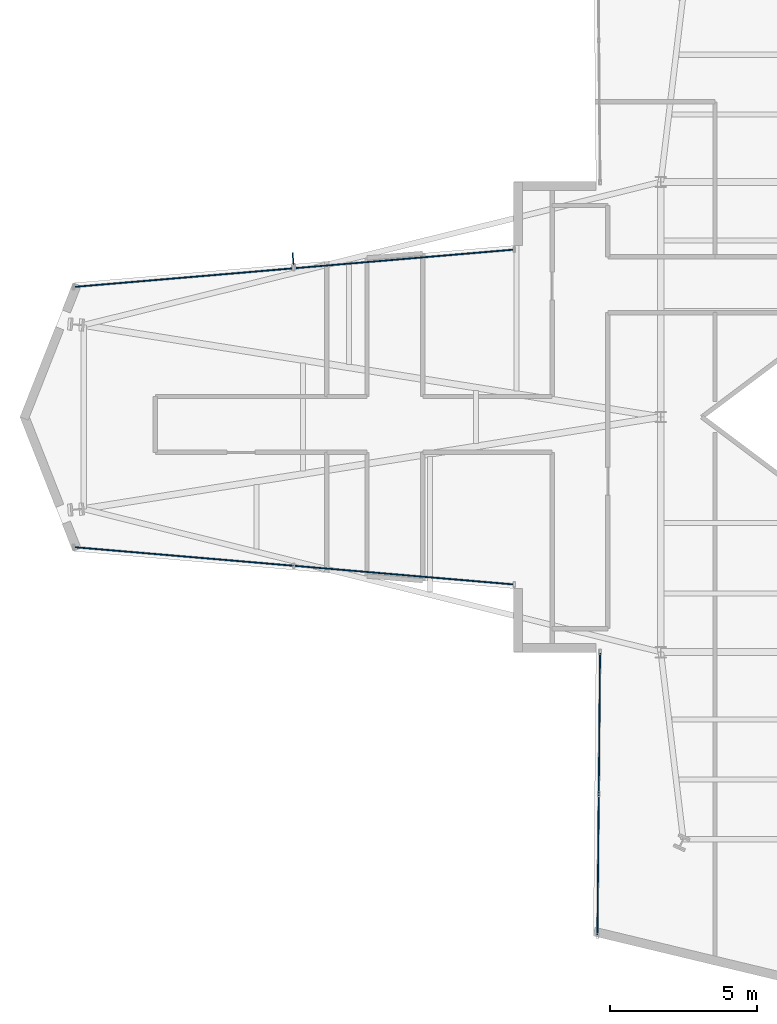
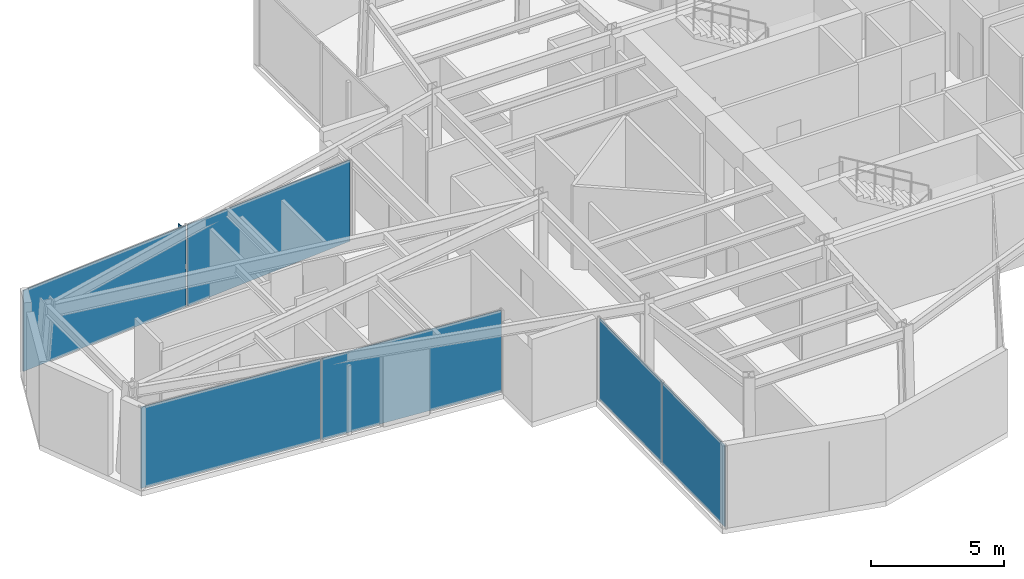
# One storey, part 19 of 25: 7 plates, 3 elements without a shape of their own.
"""IFC4 building model written with IfcOpenShell, lengths in metres."""

from ifc_helpers import new_model, si_unit, direction, frame, origin, origin_2d, place, context, subcontext, project, spatial, rectangle, extrude, material, layer, layer_set, type_object, element, aggregate, save


model = new_model("IFC4")

# Units and contexts
model_context = context("Model", 3, precision=1e-05, world=origin(), true_north=direction((0.0, 1.0)))
body_context = subcontext(model_context, "Body", "Model", "MODEL_VIEW")
ifc_project = project(units=[si_unit("LENGTHUNIT", "METRE"), si_unit("AREAUNIT", "SQUARE_METRE"), si_unit("VOLUMEUNIT", "CUBIC_METRE"), si_unit("PLANEANGLEUNIT", "RADIAN"), si_unit("MASSUNIT", "GRAM", prefix="KILO")], contexts=[model_context])

# Site, building, storey
site_placement = place(None, origin())
site = spatial("IfcSite", under=ifc_project, at=site_placement, CompositionType="ELEMENT")
building_placement = place(site_placement, origin())
building = spatial("IfcBuilding", under=site, at=building_placement, Name="Veymaron Broadcast Tower", CompositionType="ELEMENT")
storey_placement = place(building_placement, frame((0.0, 0.0, 149.25)))
storey = spatial("IfcBuildingStorey", under=building, at=storey_placement, Name="L34", CompositionType="ELEMENT", Elevation=149.25)

# Curtain wall, plates
ifc_material_1 = material(Name="Anodised aluminium AA 6063-T6 and laminated low-E dark glass", Category="aluminium")
ifc_layer_1 = layer(ifc_material_1, 0.179931640625)
ifc_layer_set_1 = layer_set([ifc_layer_1], Name="Anodised aluminium AA 6063-T6 and laminated low-E dark glass")
curtain_wall_type = type_object("IfcCurtainWallType", Name="CW-SYS-03", PredefinedType="NOTDEFINED", material=ifc_layer_set_1)
curtain_wall_1_placement = place(storey_placement, origin())
curtain_wall_1 = element("IfcCurtainWall", 1, at=curtain_wall_1_placement, inside=storey, type_object=curtain_wall_type, Name="L34 dark-glass curtain wall CW-L34-E11-1", PredefinedType="NOTDEFINED")
ifc_material_2 = material(Name="Insulated dark-anodised aluminium spandrel panel 40 mm", Category="aluminium")
ifc_layer_2 = layer(ifc_material_2, 0.0400390625)
ifc_layer_set_2 = layer_set([ifc_layer_2], Name="Insulated dark-anodised aluminium spandrel panel 40 mm")
plate_type_1 = type_object("IfcPlateType", Name="CW-PNL-03", PredefinedType="CURTAIN_PANEL", material=ifc_layer_set_2)
plate_1_placement = place(storey_placement, frame((22.4619140625, 29.38037109375, 0.0400390625), z_axis=(0.0, 0.0, 1.0), x_axis=(-0.996422407783, -0.084512633776, 0.0)))
plate_1 = element("IfcPlate", 2, at=plate_1_placement, type_object=plate_type_1, Name="CW-L34-E11-1 unitised curtain panel 0", PredefinedType="CURTAIN_PANEL", context=body_context, shape_type="SweptSolid", body=[
    extrude(rectangle(XDim=7.466796875, YDim=0.0400390625, at=origin_2d()), origin(), (0.0, 0.0, 1.0), 3.72998046875),
])
plate_2_placement = place(storey_placement, frame((14.9619140625, 28.744384765625, 0.0400390625), z_axis=(0.0, 0.0, 1.0), x_axis=(-0.996422407783, -0.084512633776, 0.0)))
plate_2 = element("IfcPlate", 3, at=plate_2_placement, type_object=plate_type_1, Name="CW-L34-E11-1 unitised curtain panel 1", PredefinedType="CURTAIN_PANEL", context=body_context, shape_type="SweptSolid", body=[
    extrude(rectangle(XDim=7.466796875, YDim=0.0400390625, at=origin_2d()), origin(), (0.0, 0.0, 1.0), 3.72998046875),
])
aggregate(curtain_wall_1, [plate_1, plate_2])

curtain_wall_2_placement = place(storey_placement, origin())
curtain_wall_2 = element("IfcCurtainWall", 4, at=curtain_wall_2_placement, inside=storey, type_object=curtain_wall_type, Name="L34 dark-glass curtain wall CW-L34-E14-1", PredefinedType="NOTDEFINED")
plate_3_placement = place(storey_placement, frame((14.9619140625, 19.255615234375, 0.0400390625), z_axis=(0.0, 0.0, 1.0), x_axis=(0.996422407783, -0.084512633776, 0.0)))
plate_3 = element("IfcPlate", 5, at=plate_3_placement, type_object=plate_type_1, Name="CW-L34-E14-1 unitised curtain panel 0", PredefinedType="CURTAIN_PANEL", context=body_context, shape_type="SweptSolid", body=[
    extrude(rectangle(XDim=7.466796875, YDim=0.0400390625, at=origin_2d()), origin(), (0.0, 0.0, 1.0), 3.72998046875),
])
plate_4_placement = place(storey_placement, frame((22.4619140625, 18.61962890625, 0.0400390625), z_axis=(0.0, 0.0, 1.0), x_axis=(0.996422407783, -0.084512633776, 0.0)))
plate_4 = element("IfcPlate", 6, at=plate_4_placement, type_object=plate_type_1, Name="CW-L34-E14-1 unitised curtain panel 1", PredefinedType="CURTAIN_PANEL", context=body_context, shape_type="SweptSolid", body=[
    extrude(rectangle(XDim=7.466796875, YDim=0.0400390625, at=origin_2d()), origin(), (0.0, 0.0, 1.0), 3.72998046875),
])
aggregate(curtain_wall_2, [plate_3, plate_4])

curtain_wall_3_placement = place(storey_placement, origin())
curtain_wall_3 = element("IfcCurtainWall", 7, at=curtain_wall_3_placement, inside=storey, type_object=curtain_wall_type, Name="L34 dark-glass curtain wall CW-L34-E17-1", PredefinedType="NOTDEFINED")
plate_5_placement = place(storey_placement, frame((29.10986328125, 13.586181640625, 0.0400390625), z_axis=(0.0, 0.0, 1.0), x_axis=(-0.009354828341, -0.999956242636, 0.0)))
plate_5 = element("IfcPlate", 8, at=plate_5_placement, type_object=plate_type_1, Name="CW-L34-E17-1 unitised curtain panel 0", PredefinedType="CURTAIN_PANEL", context=body_context, shape_type="SweptSolid", body=[
    extrude(rectangle(XDim=4.76513671875, YDim=0.0400390625, at=origin_2d()), origin(), (0.0, 0.0, 1.0), 3.72998046875),
])
plate_6_placement = place(storey_placement, frame((29.064697265625, 8.76123046875, 0.0400390625), z_axis=(0.0, 0.0, 1.0), x_axis=(-0.009354828341, -0.999956242636, 0.0)))
plate_6 = element("IfcPlate", 9, at=plate_6_placement, type_object=plate_type_1, Name="CW-L34-E17-1 unitised curtain panel 1", PredefinedType="CURTAIN_PANEL", context=body_context, shape_type="SweptSolid", body=[
    extrude(rectangle(XDim=4.76513671875, YDim=0.0400390625, at=origin_2d()), origin(), (0.0, 0.0, 1.0), 3.72998046875),
])
aggregate(curtain_wall_3, [plate_5, plate_6])

# Plate
ifc_material_3 = material(Name="Dark-anodised aluminium AA 6061-T6", Category="aluminium")
ifc_layer_3 = layer(ifc_material_3, 0.031982421875)
ifc_layer_set_3 = layer_set([ifc_layer_3], Name="Dark-anodised aluminium AA 6061-T6")
plate_type_2 = type_object("IfcPlateType", Name="FIN-CHEV-03", PredefinedType="USERDEFINED", material=ifc_layer_set_3)
plate_7_placement = place(storey_placement, frame((18.683837890625, 29.39111328125, 0.2666015625), z_axis=(0.0, 0.0, 1.0), x_axis=(-0.084512633776, 0.996422407783, 0.0)))
element("IfcPlate", 10, at=plate_7_placement, inside=storey, type_object=plate_type_2, Name="CW-L34-E11-1 chevron fin 1", ObjectType="FIN", PredefinedType="USERDEFINED", context=body_context, shape_type="SweptSolid", body=[
    extrude(rectangle(XDim=0.39990234375, YDim=0.034912109375, at=origin_2d()), origin(), (0.0, 0.0, 1.0), 3.276611328125),
])

save(model, "model.ifc")
